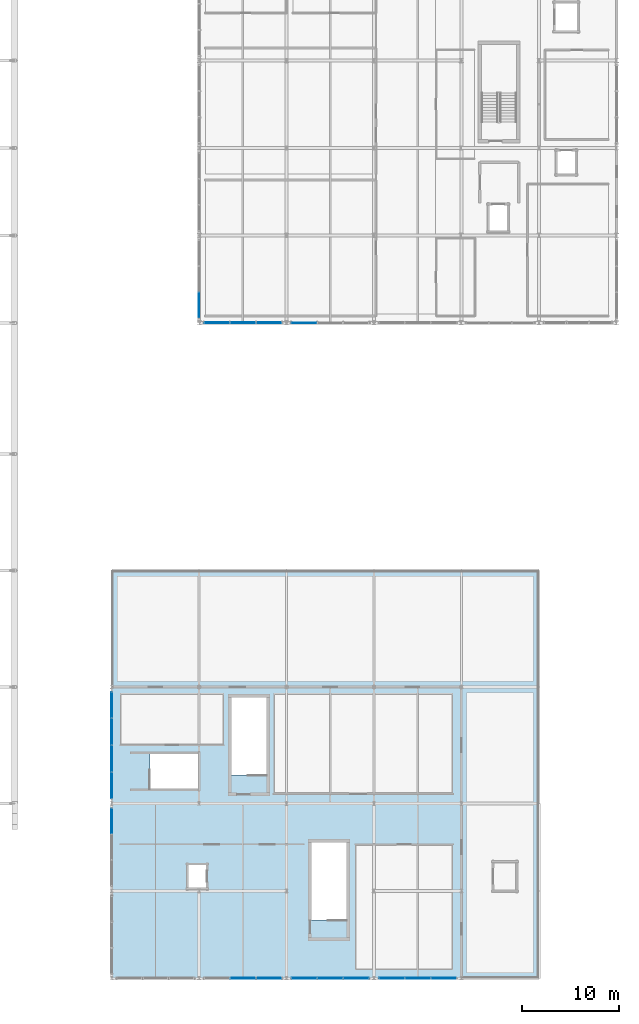
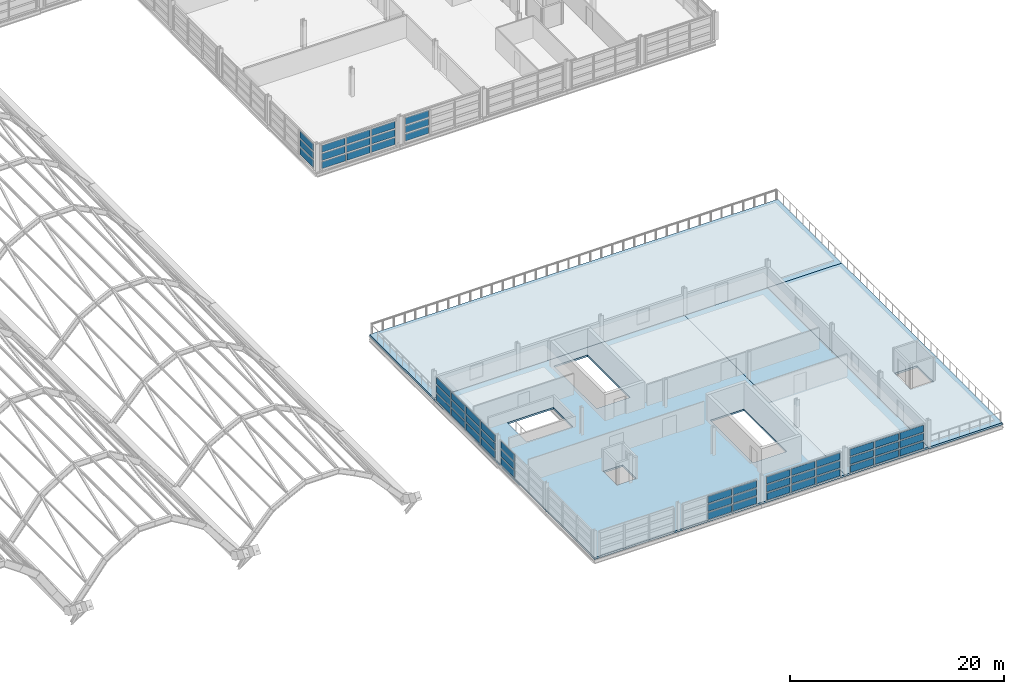
# One storey, part 57 of 86: 54 plates, 4 slabs, 8 elements without a shape of their own.
"""IFC4 building model written with IfcOpenShell, lengths in metres."""

from ifc_helpers import new_model, si_unit, direction, frame, origin, origin_2d, place, context, subcontext, project, spatial, polyline, rectangle, outline, extrude, material, layer, layer_set, type_object, element, aggregate, save


model = new_model("IFC4")

# Units and contexts
model_context = context("Model", 3, precision=1e-05, world=origin(), true_north=direction((0.0, 1.0)))
body_context = subcontext(model_context, "Body", "Model", "MODEL_VIEW")
ifc_project = project(units=[si_unit("LENGTHUNIT", "METRE"), si_unit("AREAUNIT", "SQUARE_METRE"), si_unit("VOLUMEUNIT", "CUBIC_METRE"), si_unit("PLANEANGLEUNIT", "RADIAN"), si_unit("MASSUNIT", "GRAM", prefix="KILO")], contexts=[model_context])

# Site, building, storey
site_placement = place(None, origin())
site = spatial("IfcSite", under=ifc_project, at=site_placement, CompositionType="ELEMENT")
building_placement = place(site_placement, origin())
building = spatial("IfcBuilding", under=site, at=building_placement, Name="Chuanluo Vaults Station", CompositionType="ELEMENT")
storey_placement = place(building_placement, frame((0.0, 0.0, 14.39990234375)))
storey = spatial("IfcBuildingStorey", under=building, at=storey_placement, Name="L03", CompositionType="ELEMENT", Elevation=14.39990234375)

# Curtain wall, plate
ifc_material_1 = material(Name="Anodised aluminium 6063-T6", Category="aluminium")
curtain_wall_type_1 = type_object("IfcCurtainWallType", Name="CW-SYS-03", PredefinedType="NOTDEFINED", material=ifc_material_1)
curtain_wall_1_placement = place(storey_placement, origin())
curtain_wall_1 = element("IfcCurtainWall", 1, at=curtain_wall_1_placement, inside=storey, type_object=curtain_wall_type_1, Name="Retail pavilion L03 facade CW", PredefinedType="NOTDEFINED")
ifc_material_2 = material(Name="Ceramic-fritted spandrel glass", Category="glass")
ifc_layer_1 = layer(ifc_material_2, 0.06396484375)
ifc_layer_set_1 = layer_set([ifc_layer_1], Name="Ceramic-fritted spandrel glass")
plate_type_1 = type_object("IfcPlateType", Name="CWP-SPN-42", PredefinedType="SHEET", material=ifc_layer_set_1)
plate_1_placement = place(storey_placement, frame((136.0, 16.183349609375, 0.080078125), z_axis=(0.0, 0.0, 1.0), x_axis=(0.0, 1.0, 0.0)))
plate_1 = element("IfcPlate", 2, at=plate_1_placement, type_object=plate_type_1, Name="Retail pavilion L03 facade CW glazed panel 3.1", PredefinedType="SHEET", context=body_context, shape_type="SweptSolid", body=[
    extrude(rectangle(XDim=2.523193359375, YDim=0.06396484375, at=origin_2d()), origin(), (0.0, 0.0, 1.0), 0.773193359375),
])

# Curtain wall, plates
ifc_material_3 = material(Name="Anodised aluminium 6063-T6", Category="aluminium")
curtain_wall_type_2 = type_object("IfcCurtainWallType", Name="CW-SYS-07", PredefinedType="NOTDEFINED", material=ifc_material_3)
curtain_wall_2_placement = place(storey_placement, origin())
curtain_wall_2 = element("IfcCurtainWall", 3, at=curtain_wall_2_placement, inside=storey, type_object=curtain_wall_type_2, Name="Retail pavilion L03 facade CW", PredefinedType="NOTDEFINED")
plate_2_placement = place(storey_placement, frame((161.183349609375, 0.0, 0.080078125), z_axis=(0.0, 0.0, 1.0), x_axis=(-1.0, 0.0, 0.0)))
plate_2 = element("IfcPlate", 4, at=plate_2_placement, type_object=plate_type_1, Name="Retail pavilion L03 facade CW glazed panel 1.1", PredefinedType="SHEET", context=body_context, shape_type="SweptSolid", body=[
    extrude(rectangle(XDim=2.523193359375, YDim=0.06396484375, at=origin_2d()), origin(), (0.0, 0.0, 1.0), 0.773193359375),
])
plate_3_placement = place(storey_placement, frame((158.5, 0.0, 0.080078125), z_axis=(0.0, 0.0, 1.0), x_axis=(-1.0, 0.0, 0.0)))
plate_3 = element("IfcPlate", 5, at=plate_3_placement, type_object=plate_type_1, Name="Retail pavilion L03 facade CW glazed panel 2.1", PredefinedType="SHEET", context=body_context, shape_type="SweptSolid", body=[
    extrude(rectangle(XDim=2.523193359375, YDim=0.06396484375, at=origin_2d()), origin(), (0.0, 0.0, 1.0), 0.773193359375),
])
plate_4_placement = place(storey_placement, frame((155.816650390625, 0.0, 0.080078125), z_axis=(0.0, 0.0, 1.0), x_axis=(-1.0, 0.0, 0.0)))
plate_4 = element("IfcPlate", 6, at=plate_4_placement, type_object=plate_type_1, Name="Retail pavilion L03 facade CW glazed panel 3.1", PredefinedType="SHEET", context=body_context, shape_type="SweptSolid", body=[
    extrude(rectangle(XDim=2.523193359375, YDim=0.06396484375, at=origin_2d()), origin(), (0.0, 0.0, 1.0), 0.773193359375),
])

# Curtain wall, plate
ifc_material_4 = material(Name="Anodised aluminium 6063-T6", Category="aluminium")
curtain_wall_type_3 = type_object("IfcCurtainWallType", Name="CW-SYS-21", PredefinedType="NOTDEFINED", material=ifc_material_4)
curtain_wall_3_placement = place(storey_placement, origin())
curtain_wall_3 = element("IfcCurtainWall", 7, at=curtain_wall_3_placement, inside=storey, type_object=curtain_wall_type_3, Name="Operations L03 facade CW", PredefinedType="NOTDEFINED")
plate_5_placement = place(storey_placement, frame((155.816650390625, 67.5, 0.080078125), z_axis=(0.0, 0.0, 1.0), x_axis=(-1.0, 0.0, 0.0)))
plate_5 = element("IfcPlate", 8, at=plate_5_placement, type_object=plate_type_1, Name="Operations L03 facade CW glazed panel 3.1", PredefinedType="SHEET", context=body_context, shape_type="SweptSolid", body=[
    extrude(rectangle(XDim=2.523193359375, YDim=0.06396484375, at=origin_2d()), origin(), (0.0, 0.0, 1.0), 0.773193359375),
])

ifc_material_5 = material(Name="Anodised aluminium 6063-T6", Category="aluminium")
curtain_wall_type_4 = type_object("IfcCurtainWallType", Name="CW-SYS-23", PredefinedType="NOTDEFINED", material=ifc_material_5)
curtain_wall_4_placement = place(storey_placement, origin())
curtain_wall_4 = element("IfcCurtainWall", 9, at=curtain_wall_4_placement, inside=storey, type_object=curtain_wall_type_4, Name="Operations L03 facade CW", PredefinedType="NOTDEFINED")
plate_6_placement = place(storey_placement, frame((145.0, 69.316650390625, 0.080078125), z_axis=(0.0, 0.0, 1.0), x_axis=(0.0, 1.0, 0.0)))
plate_6 = element("IfcPlate", 10, at=plate_6_placement, type_object=plate_type_1, Name="Operations L03 facade CW glazed panel 1.1", PredefinedType="SHEET", context=body_context, shape_type="SweptSolid", body=[
    extrude(rectangle(XDim=2.523193359375, YDim=0.06396484375, at=origin_2d()), origin(), (0.0, 0.0, 1.0), 0.773193359375),
])

# Curtain wall, plates
ifc_material_6 = material(Name="Anodised aluminium 6063-T6", Category="aluminium")
curtain_wall_type_5 = type_object("IfcCurtainWallType", Name="CW-SYS-04", PredefinedType="NOTDEFINED", material=ifc_material_6)
curtain_wall_5_placement = place(storey_placement, origin())
curtain_wall_5 = element("IfcCurtainWall", 11, at=curtain_wall_5_placement, inside=storey, type_object=curtain_wall_type_5, Name="Retail pavilion L03 facade CW", PredefinedType="NOTDEFINED")
ifc_material_7 = material(Name="Ceramic-fritted spandrel glass", Category="glass")
ifc_layer_2 = layer(ifc_material_7, 0.070068359375)
ifc_layer_set_2 = layer_set([ifc_layer_2], Name="Ceramic-fritted spandrel glass")
plate_type_2 = type_object("IfcPlateType", Name="CWP-SPN-50", PredefinedType="SHEET", material=ifc_layer_set_2)
plate_7_placement = place(storey_placement, frame((136.0, 19.856201171875, 0.080078125), z_axis=(0.0, 0.0, 1.0), x_axis=(0.0, 1.0, 0.0)))
plate_7 = element("IfcPlate", 12, at=plate_7_placement, type_object=plate_type_2, Name="Retail pavilion L03 facade CW glazed panel 1.1", PredefinedType="SHEET", context=body_context, shape_type="SweptSolid", body=[
    extrude(rectangle(XDim=2.6025390625, YDim=0.070068359375, at=origin_2d()), origin(), (0.0, 0.0, 1.0), 0.773193359375),
])
plate_8_placement = place(storey_placement, frame((136.0, 22.61865234375, 0.080078125), z_axis=(0.0, 0.0, 1.0), x_axis=(0.0, 1.0, 0.0)))
plate_8 = element("IfcPlate", 13, at=plate_8_placement, type_object=plate_type_2, Name="Retail pavilion L03 facade CW glazed panel 2.1", PredefinedType="SHEET", context=body_context, shape_type="SweptSolid", body=[
    extrude(rectangle(XDim=2.6025390625, YDim=0.070068359375, at=origin_2d()), origin(), (0.0, 0.0, 1.0), 0.773193359375),
])
plate_9_placement = place(storey_placement, frame((136.0, 25.38134765625, 0.080078125), z_axis=(0.0, 0.0, 1.0), x_axis=(0.0, 1.0, 0.0)))
plate_9 = element("IfcPlate", 14, at=plate_9_placement, type_object=plate_type_2, Name="Retail pavilion L03 facade CW glazed panel 3.1", PredefinedType="SHEET", context=body_context, shape_type="SweptSolid", body=[
    extrude(rectangle(XDim=2.6025390625, YDim=0.070068359375, at=origin_2d()), origin(), (0.0, 0.0, 1.0), 0.773193359375),
])
plate_10_placement = place(storey_placement, frame((136.0, 28.143798828125, 0.080078125), z_axis=(0.0, 0.0, 1.0), x_axis=(0.0, 1.0, 0.0)))
plate_10 = element("IfcPlate", 15, at=plate_10_placement, type_object=plate_type_2, Name="Retail pavilion L03 facade CW glazed panel 4.1", PredefinedType="SHEET", context=body_context, shape_type="SweptSolid", body=[
    extrude(rectangle(XDim=2.6025390625, YDim=0.070068359375, at=origin_2d()), origin(), (0.0, 0.0, 1.0), 0.773193359375),
])

ifc_material_8 = material(Name="Anodised aluminium 6063-T6", Category="aluminium")
curtain_wall_type_6 = type_object("IfcCurtainWallType", Name="CW-SYS-06", PredefinedType="NOTDEFINED", material=ifc_material_8)
curtain_wall_6_placement = place(storey_placement, origin())
curtain_wall_6 = element("IfcCurtainWall", 16, at=curtain_wall_6_placement, inside=storey, type_object=curtain_wall_type_6, Name="Retail pavilion L03 facade CW", PredefinedType="NOTDEFINED")
plate_11_placement = place(storey_placement, frame((152.183349609375, 0.0, 0.080078125), z_axis=(0.0, 0.0, 1.0), x_axis=(-1.0, 0.0, 0.0)))
plate_11 = element("IfcPlate", 17, at=plate_11_placement, type_object=plate_type_2, Name="Retail pavilion L03 facade CW glazed panel 1.1", PredefinedType="SHEET", context=body_context, shape_type="SweptSolid", body=[
    extrude(rectangle(XDim=2.523193359375, YDim=0.070068359375, at=origin_2d()), origin(), (0.0, 0.0, 1.0), 0.773193359375),
])
plate_12_placement = place(storey_placement, frame((149.5, 0.0, 0.080078125), z_axis=(0.0, 0.0, 1.0), x_axis=(-1.0, 0.0, 0.0)))
plate_12 = element("IfcPlate", 18, at=plate_12_placement, type_object=plate_type_2, Name="Retail pavilion L03 facade CW glazed panel 2.1", PredefinedType="SHEET", context=body_context, shape_type="SweptSolid", body=[
    extrude(rectangle(XDim=2.523193359375, YDim=0.070068359375, at=origin_2d()), origin(), (0.0, 0.0, 1.0), 0.773193359375),
])

ifc_material_9 = material(Name="Anodised aluminium 6063-T6", Category="aluminium")
curtain_wall_type_7 = type_object("IfcCurtainWallType", Name="CW-SYS-08", PredefinedType="NOTDEFINED", material=ifc_material_9)
curtain_wall_7_placement = place(storey_placement, origin())
curtain_wall_7 = element("IfcCurtainWall", 19, at=curtain_wall_7_placement, inside=storey, type_object=curtain_wall_type_7, Name="Retail pavilion L03 facade CW", PredefinedType="NOTDEFINED")
plate_13_placement = place(storey_placement, frame((170.183349609375, 0.0, 0.080078125), z_axis=(0.0, 0.0, 1.0), x_axis=(-1.0, 0.0, 0.0)))
plate_13 = element("IfcPlate", 20, at=plate_13_placement, type_object=plate_type_2, Name="Retail pavilion L03 facade CW glazed panel 1.1", PredefinedType="SHEET", context=body_context, shape_type="SweptSolid", body=[
    extrude(rectangle(XDim=2.523193359375, YDim=0.070068359375, at=origin_2d()), origin(), (0.0, 0.0, 1.0), 0.773193359375),
])
plate_14_placement = place(storey_placement, frame((167.5, 0.0, 0.080078125), z_axis=(0.0, 0.0, 1.0), x_axis=(-1.0, 0.0, 0.0)))
plate_14 = element("IfcPlate", 21, at=plate_14_placement, type_object=plate_type_2, Name="Retail pavilion L03 facade CW glazed panel 2.1", PredefinedType="SHEET", context=body_context, shape_type="SweptSolid", body=[
    extrude(rectangle(XDim=2.523193359375, YDim=0.070068359375, at=origin_2d()), origin(), (0.0, 0.0, 1.0), 0.773193359375),
])
plate_15_placement = place(storey_placement, frame((164.816650390625, 0.0, 0.080078125), z_axis=(0.0, 0.0, 1.0), x_axis=(-1.0, 0.0, 0.0)))
plate_15 = element("IfcPlate", 22, at=plate_15_placement, type_object=plate_type_2, Name="Retail pavilion L03 facade CW glazed panel 3.1", PredefinedType="SHEET", context=body_context, shape_type="SweptSolid", body=[
    extrude(rectangle(XDim=2.523193359375, YDim=0.070068359375, at=origin_2d()), origin(), (0.0, 0.0, 1.0), 0.773193359375),
])

ifc_material_10 = material(Name="Anodised aluminium 6063-T6", Category="aluminium")
curtain_wall_type_8 = type_object("IfcCurtainWallType", Name="CW-SYS-22", PredefinedType="NOTDEFINED", material=ifc_material_10)
curtain_wall_8_placement = place(storey_placement, origin())
curtain_wall_8 = element("IfcCurtainWall", 23, at=curtain_wall_8_placement, inside=storey, type_object=curtain_wall_type_8, Name="Operations L03 facade CW", PredefinedType="NOTDEFINED")
plate_16_placement = place(storey_placement, frame((152.183349609375, 67.5, 0.080078125), z_axis=(0.0, 0.0, 1.0), x_axis=(-1.0, 0.0, 0.0)))
plate_16 = element("IfcPlate", 24, at=plate_16_placement, type_object=plate_type_2, Name="Operations L03 facade CW glazed panel 1.1", PredefinedType="SHEET", context=body_context, shape_type="SweptSolid", body=[
    extrude(rectangle(XDim=2.523193359375, YDim=0.070068359375, at=origin_2d()), origin(), (0.0, 0.0, 1.0), 0.773193359375),
])
plate_17_placement = place(storey_placement, frame((149.5, 67.5, 0.080078125), z_axis=(0.0, 0.0, 1.0), x_axis=(-1.0, 0.0, 0.0)))
plate_17 = element("IfcPlate", 25, at=plate_17_placement, type_object=plate_type_2, Name="Operations L03 facade CW glazed panel 2.1", PredefinedType="SHEET", context=body_context, shape_type="SweptSolid", body=[
    extrude(rectangle(XDim=2.523193359375, YDim=0.070068359375, at=origin_2d()), origin(), (0.0, 0.0, 1.0), 0.773193359375),
])
plate_18_placement = place(storey_placement, frame((146.816650390625, 67.5, 0.080078125), z_axis=(0.0, 0.0, 1.0), x_axis=(-1.0, 0.0, 0.0)))
plate_18 = element("IfcPlate", 26, at=plate_18_placement, type_object=plate_type_2, Name="Operations L03 facade CW glazed panel 3.1", PredefinedType="SHEET", context=body_context, shape_type="SweptSolid", body=[
    extrude(rectangle(XDim=2.523193359375, YDim=0.070068359375, at=origin_2d()), origin(), (0.0, 0.0, 1.0), 0.773193359375),
])

# Plate
ifc_material_11 = material(Name="Double-silver Low-E laminated glass", Category="glass")
ifc_layer_3 = layer(ifc_material_11, 0.0439453125)
ifc_layer_set_3 = layer_set([ifc_layer_3], Name="Double-silver Low-E laminated glass")
plate_type_3 = type_object("IfcPlateType", Name="CWP-VIS-28", PredefinedType="CURTAIN_PANEL", material=ifc_layer_set_3)
plate_19_placement = place(storey_placement, frame((136.0, 19.856201171875, 1.013427734375), z_axis=(0.0, 0.0, 1.0), x_axis=(0.0, 1.0, 0.0)))
plate_19 = element("IfcPlate", 27, at=plate_19_placement, type_object=plate_type_3, Name="Retail pavilion L03 facade CW glazed panel 1.2", PredefinedType="CURTAIN_PANEL", context=body_context, shape_type="SweptSolid", body=[
    extrude(rectangle(XDim=2.6025390625, YDim=0.0439453125, at=origin_2d()), origin(), (0.0, 0.0, 1.0), 0.7734375),
])

plate_20_placement = place(storey_placement, frame((136.0, 19.856201171875, 1.94677734375), z_axis=(0.0, 0.0, 1.0), x_axis=(0.0, 1.0, 0.0)))
plate_20 = element("IfcPlate", 28, at=plate_20_placement, type_object=plate_type_3, Name="Retail pavilion L03 facade CW glazed panel 1.3", PredefinedType="CURTAIN_PANEL", context=body_context, shape_type="SweptSolid", body=[
    extrude(rectangle(XDim=2.6025390625, YDim=0.0439453125, at=origin_2d()), origin(), (0.0, 0.0, 1.0), 0.773193359375),
])

plate_21_placement = place(storey_placement, frame((136.0, 22.61865234375, 1.013427734375), z_axis=(0.0, 0.0, 1.0), x_axis=(0.0, 1.0, 0.0)))
plate_21 = element("IfcPlate", 29, at=plate_21_placement, type_object=plate_type_3, Name="Retail pavilion L03 facade CW glazed panel 2.2", PredefinedType="CURTAIN_PANEL", context=body_context, shape_type="SweptSolid", body=[
    extrude(rectangle(XDim=2.6025390625, YDim=0.0439453125, at=origin_2d()), origin(), (0.0, 0.0, 1.0), 0.7734375),
])

plate_22_placement = place(storey_placement, frame((136.0, 22.61865234375, 1.94677734375), z_axis=(0.0, 0.0, 1.0), x_axis=(0.0, 1.0, 0.0)))
plate_22 = element("IfcPlate", 30, at=plate_22_placement, type_object=plate_type_3, Name="Retail pavilion L03 facade CW glazed panel 2.3", PredefinedType="CURTAIN_PANEL", context=body_context, shape_type="SweptSolid", body=[
    extrude(rectangle(XDim=2.6025390625, YDim=0.0439453125, at=origin_2d()), origin(), (0.0, 0.0, 1.0), 0.773193359375),
])

plate_23_placement = place(storey_placement, frame((136.0, 25.38134765625, 1.013427734375), z_axis=(0.0, 0.0, 1.0), x_axis=(0.0, 1.0, 0.0)))
plate_23 = element("IfcPlate", 31, at=plate_23_placement, type_object=plate_type_3, Name="Retail pavilion L03 facade CW glazed panel 3.2", PredefinedType="CURTAIN_PANEL", context=body_context, shape_type="SweptSolid", body=[
    extrude(rectangle(XDim=2.6025390625, YDim=0.0439453125, at=origin_2d()), origin(), (0.0, 0.0, 1.0), 0.7734375),
])

plate_24_placement = place(storey_placement, frame((136.0, 25.38134765625, 1.94677734375), z_axis=(0.0, 0.0, 1.0), x_axis=(0.0, 1.0, 0.0)))
plate_24 = element("IfcPlate", 32, at=plate_24_placement, type_object=plate_type_3, Name="Retail pavilion L03 facade CW glazed panel 3.3", PredefinedType="CURTAIN_PANEL", context=body_context, shape_type="SweptSolid", body=[
    extrude(rectangle(XDim=2.6025390625, YDim=0.0439453125, at=origin_2d()), origin(), (0.0, 0.0, 1.0), 0.773193359375),
])

plate_25_placement = place(storey_placement, frame((136.0, 28.143798828125, 1.013427734375), z_axis=(0.0, 0.0, 1.0), x_axis=(0.0, 1.0, 0.0)))
plate_25 = element("IfcPlate", 33, at=plate_25_placement, type_object=plate_type_3, Name="Retail pavilion L03 facade CW glazed panel 4.2", PredefinedType="CURTAIN_PANEL", context=body_context, shape_type="SweptSolid", body=[
    extrude(rectangle(XDim=2.6025390625, YDim=0.0439453125, at=origin_2d()), origin(), (0.0, 0.0, 1.0), 0.7734375),
])

plate_26_placement = place(storey_placement, frame((136.0, 28.143798828125, 1.94677734375), z_axis=(0.0, 0.0, 1.0), x_axis=(0.0, 1.0, 0.0)))
plate_26 = element("IfcPlate", 34, at=plate_26_placement, type_object=plate_type_3, Name="Retail pavilion L03 facade CW glazed panel 4.3", PredefinedType="CURTAIN_PANEL", context=body_context, shape_type="SweptSolid", body=[
    extrude(rectangle(XDim=2.6025390625, YDim=0.0439453125, at=origin_2d()), origin(), (0.0, 0.0, 1.0), 0.773193359375),
])

aggregate(curtain_wall_5, [plate_7, plate_19, plate_20, plate_8, plate_21, plate_22, plate_9, plate_23, plate_24, plate_10, plate_25, plate_26])

plate_27_placement = place(storey_placement, frame((170.183349609375, 0.0, 1.013427734375), z_axis=(0.0, 0.0, 1.0), x_axis=(-1.0, 0.0, 0.0)))
plate_27 = element("IfcPlate", 35, at=plate_27_placement, type_object=plate_type_3, Name="Retail pavilion L03 facade CW glazed panel 1.2", PredefinedType="CURTAIN_PANEL", context=body_context, shape_type="SweptSolid", body=[
    extrude(rectangle(XDim=2.523193359375, YDim=0.0439453125, at=origin_2d()), origin(), (0.0, 0.0, 1.0), 0.7734375),
])

plate_28_placement = place(storey_placement, frame((170.183349609375, 0.0, 1.94677734375), z_axis=(0.0, 0.0, 1.0), x_axis=(-1.0, 0.0, 0.0)))
plate_28 = element("IfcPlate", 36, at=plate_28_placement, type_object=plate_type_3, Name="Retail pavilion L03 facade CW glazed panel 1.3", PredefinedType="CURTAIN_PANEL", context=body_context, shape_type="SweptSolid", body=[
    extrude(rectangle(XDim=2.523193359375, YDim=0.0439453125, at=origin_2d()), origin(), (0.0, 0.0, 1.0), 0.773193359375),
])

plate_29_placement = place(storey_placement, frame((167.5, 0.0, 1.013427734375), z_axis=(0.0, 0.0, 1.0), x_axis=(-1.0, 0.0, 0.0)))
plate_29 = element("IfcPlate", 37, at=plate_29_placement, type_object=plate_type_3, Name="Retail pavilion L03 facade CW glazed panel 2.2", PredefinedType="CURTAIN_PANEL", context=body_context, shape_type="SweptSolid", body=[
    extrude(rectangle(XDim=2.523193359375, YDim=0.0439453125, at=origin_2d()), origin(), (0.0, 0.0, 1.0), 0.7734375),
])

plate_30_placement = place(storey_placement, frame((167.5, 0.0, 1.94677734375), z_axis=(0.0, 0.0, 1.0), x_axis=(-1.0, 0.0, 0.0)))
plate_30 = element("IfcPlate", 38, at=plate_30_placement, type_object=plate_type_3, Name="Retail pavilion L03 facade CW glazed panel 2.3", PredefinedType="CURTAIN_PANEL", context=body_context, shape_type="SweptSolid", body=[
    extrude(rectangle(XDim=2.523193359375, YDim=0.0439453125, at=origin_2d()), origin(), (0.0, 0.0, 1.0), 0.773193359375),
])

plate_31_placement = place(storey_placement, frame((164.816650390625, 0.0, 1.013427734375), z_axis=(0.0, 0.0, 1.0), x_axis=(-1.0, 0.0, 0.0)))
plate_31 = element("IfcPlate", 39, at=plate_31_placement, type_object=plate_type_3, Name="Retail pavilion L03 facade CW glazed panel 3.2", PredefinedType="CURTAIN_PANEL", context=body_context, shape_type="SweptSolid", body=[
    extrude(rectangle(XDim=2.523193359375, YDim=0.0439453125, at=origin_2d()), origin(), (0.0, 0.0, 1.0), 0.7734375),
])

plate_32_placement = place(storey_placement, frame((164.816650390625, 0.0, 1.94677734375), z_axis=(0.0, 0.0, 1.0), x_axis=(-1.0, 0.0, 0.0)))
plate_32 = element("IfcPlate", 40, at=plate_32_placement, type_object=plate_type_3, Name="Retail pavilion L03 facade CW glazed panel 3.3", PredefinedType="CURTAIN_PANEL", context=body_context, shape_type="SweptSolid", body=[
    extrude(rectangle(XDim=2.523193359375, YDim=0.0439453125, at=origin_2d()), origin(), (0.0, 0.0, 1.0), 0.773193359375),
])

aggregate(curtain_wall_7, [plate_13, plate_27, plate_28, plate_14, plate_29, plate_30, plate_15, plate_31, plate_32])

ifc_material_12 = material(Name="Double-silver Low-E laminated glass", Category="glass")
ifc_layer_4 = layer(ifc_material_12, 0.048095703125)
ifc_layer_set_4 = layer_set([ifc_layer_4], Name="Double-silver Low-E laminated glass")
plate_type_4 = type_object("IfcPlateType", Name="CWP-VIS-32", PredefinedType="CURTAIN_PANEL", material=ifc_layer_set_4)
plate_33_placement = place(storey_placement, frame((136.0, 16.183349609375, 1.013427734375), z_axis=(0.0, 0.0, 1.0), x_axis=(0.0, 1.0, 0.0)))
plate_33 = element("IfcPlate", 41, at=plate_33_placement, type_object=plate_type_4, Name="Retail pavilion L03 facade CW glazed panel 3.2", PredefinedType="CURTAIN_PANEL", context=body_context, shape_type="SweptSolid", body=[
    extrude(rectangle(XDim=2.523193359375, YDim=0.048095703125, at=origin_2d()), origin(), (0.0, 0.0, 1.0), 0.7734375),
])

plate_34_placement = place(storey_placement, frame((136.0, 16.183349609375, 1.94677734375), z_axis=(0.0, 0.0, 1.0), x_axis=(0.0, 1.0, 0.0)))
plate_34 = element("IfcPlate", 42, at=plate_34_placement, type_object=plate_type_4, Name="Retail pavilion L03 facade CW glazed panel 3.3", PredefinedType="CURTAIN_PANEL", context=body_context, shape_type="SweptSolid", body=[
    extrude(rectangle(XDim=2.523193359375, YDim=0.048095703125, at=origin_2d()), origin(), (0.0, 0.0, 1.0), 0.773193359375),
])

aggregate(curtain_wall_1, [plate_1, plate_33, plate_34])

plate_35_placement = place(storey_placement, frame((161.183349609375, 0.0, 1.013427734375), z_axis=(0.0, 0.0, 1.0), x_axis=(-1.0, 0.0, 0.0)))
plate_35 = element("IfcPlate", 43, at=plate_35_placement, type_object=plate_type_4, Name="Retail pavilion L03 facade CW glazed panel 1.2", PredefinedType="CURTAIN_PANEL", context=body_context, shape_type="SweptSolid", body=[
    extrude(rectangle(XDim=2.523193359375, YDim=0.048095703125, at=origin_2d()), origin(), (0.0, 0.0, 1.0), 0.7734375),
])

plate_36_placement = place(storey_placement, frame((161.183349609375, 0.0, 1.94677734375), z_axis=(0.0, 0.0, 1.0), x_axis=(-1.0, 0.0, 0.0)))
plate_36 = element("IfcPlate", 44, at=plate_36_placement, type_object=plate_type_4, Name="Retail pavilion L03 facade CW glazed panel 1.3", PredefinedType="CURTAIN_PANEL", context=body_context, shape_type="SweptSolid", body=[
    extrude(rectangle(XDim=2.523193359375, YDim=0.048095703125, at=origin_2d()), origin(), (0.0, 0.0, 1.0), 0.773193359375),
])

plate_37_placement = place(storey_placement, frame((158.5, 0.0, 1.013427734375), z_axis=(0.0, 0.0, 1.0), x_axis=(-1.0, 0.0, 0.0)))
plate_37 = element("IfcPlate", 45, at=plate_37_placement, type_object=plate_type_4, Name="Retail pavilion L03 facade CW glazed panel 2.2", PredefinedType="CURTAIN_PANEL", context=body_context, shape_type="SweptSolid", body=[
    extrude(rectangle(XDim=2.523193359375, YDim=0.048095703125, at=origin_2d()), origin(), (0.0, 0.0, 1.0), 0.7734375),
])

plate_38_placement = place(storey_placement, frame((158.5, 0.0, 1.94677734375), z_axis=(0.0, 0.0, 1.0), x_axis=(-1.0, 0.0, 0.0)))
plate_38 = element("IfcPlate", 46, at=plate_38_placement, type_object=plate_type_4, Name="Retail pavilion L03 facade CW glazed panel 2.3", PredefinedType="CURTAIN_PANEL", context=body_context, shape_type="SweptSolid", body=[
    extrude(rectangle(XDim=2.523193359375, YDim=0.048095703125, at=origin_2d()), origin(), (0.0, 0.0, 1.0), 0.773193359375),
])

plate_39_placement = place(storey_placement, frame((155.816650390625, 0.0, 1.013427734375), z_axis=(0.0, 0.0, 1.0), x_axis=(-1.0, 0.0, 0.0)))
plate_39 = element("IfcPlate", 47, at=plate_39_placement, type_object=plate_type_4, Name="Retail pavilion L03 facade CW glazed panel 3.2", PredefinedType="CURTAIN_PANEL", context=body_context, shape_type="SweptSolid", body=[
    extrude(rectangle(XDim=2.523193359375, YDim=0.048095703125, at=origin_2d()), origin(), (0.0, 0.0, 1.0), 0.7734375),
])

plate_40_placement = place(storey_placement, frame((155.816650390625, 0.0, 1.94677734375), z_axis=(0.0, 0.0, 1.0), x_axis=(-1.0, 0.0, 0.0)))
plate_40 = element("IfcPlate", 48, at=plate_40_placement, type_object=plate_type_4, Name="Retail pavilion L03 facade CW glazed panel 3.3", PredefinedType="CURTAIN_PANEL", context=body_context, shape_type="SweptSolid", body=[
    extrude(rectangle(XDim=2.523193359375, YDim=0.048095703125, at=origin_2d()), origin(), (0.0, 0.0, 1.0), 0.773193359375),
])

aggregate(curtain_wall_2, [plate_2, plate_35, plate_36, plate_3, plate_37, plate_38, plate_4, plate_39, plate_40])

plate_41_placement = place(storey_placement, frame((145.0, 69.316650390625, 1.013427734375), z_axis=(0.0, 0.0, 1.0), x_axis=(0.0, 1.0, 0.0)))
plate_41 = element("IfcPlate", 49, at=plate_41_placement, type_object=plate_type_4, Name="Operations L03 facade CW glazed panel 1.2", PredefinedType="CURTAIN_PANEL", context=body_context, shape_type="SweptSolid", body=[
    extrude(rectangle(XDim=2.523193359375, YDim=0.048095703125, at=origin_2d()), origin(), (0.0, 0.0, 1.0), 0.7734375),
])

plate_42_placement = place(storey_placement, frame((145.0, 69.316650390625, 1.94677734375), z_axis=(0.0, 0.0, 1.0), x_axis=(0.0, 1.0, 0.0)))
plate_42 = element("IfcPlate", 50, at=plate_42_placement, type_object=plate_type_4, Name="Operations L03 facade CW glazed panel 1.3", PredefinedType="CURTAIN_PANEL", context=body_context, shape_type="SweptSolid", body=[
    extrude(rectangle(XDim=2.523193359375, YDim=0.048095703125, at=origin_2d()), origin(), (0.0, 0.0, 1.0), 0.773193359375),
])

aggregate(curtain_wall_4, [plate_6, plate_41, plate_42])

ifc_material_13 = material(Name="Double-silver Low-E laminated glass", Category="glass")
ifc_layer_5 = layer(ifc_material_13, 0.053955078125)
ifc_layer_set_5 = layer_set([ifc_layer_5], Name="Double-silver Low-E laminated glass")
plate_type_5 = type_object("IfcPlateType", Name="CWP-VIS-36", PredefinedType="CURTAIN_PANEL", material=ifc_layer_set_5)
plate_43_placement = place(storey_placement, frame((152.183349609375, 0.0, 1.013427734375), z_axis=(0.0, 0.0, 1.0), x_axis=(-1.0, 0.0, 0.0)))
plate_43 = element("IfcPlate", 51, at=plate_43_placement, type_object=plate_type_5, Name="Retail pavilion L03 facade CW glazed panel 1.2", PredefinedType="CURTAIN_PANEL", context=body_context, shape_type="SweptSolid", body=[
    extrude(rectangle(XDim=2.523193359375, YDim=0.053955078125, at=origin_2d()), origin(), (0.0, 0.0, 1.0), 0.7734375),
])

plate_44_placement = place(storey_placement, frame((152.183349609375, 0.0, 1.94677734375), z_axis=(0.0, 0.0, 1.0), x_axis=(-1.0, 0.0, 0.0)))
plate_44 = element("IfcPlate", 52, at=plate_44_placement, type_object=plate_type_5, Name="Retail pavilion L03 facade CW glazed panel 1.3", PredefinedType="CURTAIN_PANEL", context=body_context, shape_type="SweptSolid", body=[
    extrude(rectangle(XDim=2.523193359375, YDim=0.053955078125, at=origin_2d()), origin(), (0.0, 0.0, 1.0), 0.773193359375),
])

plate_45_placement = place(storey_placement, frame((149.5, 0.0, 1.013427734375), z_axis=(0.0, 0.0, 1.0), x_axis=(-1.0, 0.0, 0.0)))
plate_45 = element("IfcPlate", 53, at=plate_45_placement, type_object=plate_type_5, Name="Retail pavilion L03 facade CW glazed panel 2.2", PredefinedType="CURTAIN_PANEL", context=body_context, shape_type="SweptSolid", body=[
    extrude(rectangle(XDim=2.523193359375, YDim=0.053955078125, at=origin_2d()), origin(), (0.0, 0.0, 1.0), 0.7734375),
])

plate_46_placement = place(storey_placement, frame((149.5, 0.0, 1.94677734375), z_axis=(0.0, 0.0, 1.0), x_axis=(-1.0, 0.0, 0.0)))
plate_46 = element("IfcPlate", 54, at=plate_46_placement, type_object=plate_type_5, Name="Retail pavilion L03 facade CW glazed panel 2.3", PredefinedType="CURTAIN_PANEL", context=body_context, shape_type="SweptSolid", body=[
    extrude(rectangle(XDim=2.523193359375, YDim=0.053955078125, at=origin_2d()), origin(), (0.0, 0.0, 1.0), 0.773193359375),
])

aggregate(curtain_wall_6, [plate_11, plate_43, plate_44, plate_12, plate_45, plate_46])

plate_47_placement = place(storey_placement, frame((152.183349609375, 67.5, 1.013427734375), z_axis=(0.0, 0.0, 1.0), x_axis=(-1.0, 0.0, 0.0)))
plate_47 = element("IfcPlate", 55, at=plate_47_placement, type_object=plate_type_5, Name="Operations L03 facade CW glazed panel 1.2", PredefinedType="CURTAIN_PANEL", context=body_context, shape_type="SweptSolid", body=[
    extrude(rectangle(XDim=2.523193359375, YDim=0.053955078125, at=origin_2d()), origin(), (0.0, 0.0, 1.0), 0.7734375),
])

plate_48_placement = place(storey_placement, frame((152.183349609375, 67.5, 1.94677734375), z_axis=(0.0, 0.0, 1.0), x_axis=(-1.0, 0.0, 0.0)))
plate_48 = element("IfcPlate", 56, at=plate_48_placement, type_object=plate_type_5, Name="Operations L03 facade CW glazed panel 1.3", PredefinedType="CURTAIN_PANEL", context=body_context, shape_type="SweptSolid", body=[
    extrude(rectangle(XDim=2.523193359375, YDim=0.053955078125, at=origin_2d()), origin(), (0.0, 0.0, 1.0), 0.773193359375),
])

plate_49_placement = place(storey_placement, frame((149.5, 67.5, 1.013427734375), z_axis=(0.0, 0.0, 1.0), x_axis=(-1.0, 0.0, 0.0)))
plate_49 = element("IfcPlate", 57, at=plate_49_placement, type_object=plate_type_5, Name="Operations L03 facade CW glazed panel 2.2", PredefinedType="CURTAIN_PANEL", context=body_context, shape_type="SweptSolid", body=[
    extrude(rectangle(XDim=2.523193359375, YDim=0.053955078125, at=origin_2d()), origin(), (0.0, 0.0, 1.0), 0.7734375),
])

plate_50_placement = place(storey_placement, frame((149.5, 67.5, 1.94677734375), z_axis=(0.0, 0.0, 1.0), x_axis=(-1.0, 0.0, 0.0)))
plate_50 = element("IfcPlate", 58, at=plate_50_placement, type_object=plate_type_5, Name="Operations L03 facade CW glazed panel 2.3", PredefinedType="CURTAIN_PANEL", context=body_context, shape_type="SweptSolid", body=[
    extrude(rectangle(XDim=2.523193359375, YDim=0.053955078125, at=origin_2d()), origin(), (0.0, 0.0, 1.0), 0.773193359375),
])

plate_51_placement = place(storey_placement, frame((146.816650390625, 67.5, 1.013427734375), z_axis=(0.0, 0.0, 1.0), x_axis=(-1.0, 0.0, 0.0)))
plate_51 = element("IfcPlate", 59, at=plate_51_placement, type_object=plate_type_5, Name="Operations L03 facade CW glazed panel 3.2", PredefinedType="CURTAIN_PANEL", context=body_context, shape_type="SweptSolid", body=[
    extrude(rectangle(XDim=2.523193359375, YDim=0.053955078125, at=origin_2d()), origin(), (0.0, 0.0, 1.0), 0.7734375),
])

plate_52_placement = place(storey_placement, frame((146.816650390625, 67.5, 1.94677734375), z_axis=(0.0, 0.0, 1.0), x_axis=(-1.0, 0.0, 0.0)))
plate_52 = element("IfcPlate", 60, at=plate_52_placement, type_object=plate_type_5, Name="Operations L03 facade CW glazed panel 3.3", PredefinedType="CURTAIN_PANEL", context=body_context, shape_type="SweptSolid", body=[
    extrude(rectangle(XDim=2.523193359375, YDim=0.053955078125, at=origin_2d()), origin(), (0.0, 0.0, 1.0), 0.773193359375),
])

aggregate(curtain_wall_8, [plate_16, plate_47, plate_48, plate_17, plate_49, plate_50, plate_18, plate_51, plate_52])

ifc_material_14 = material(Name="Double-silver Low-E laminated glass", Category="glass")
ifc_layer_6 = layer(ifc_material_14, 0.05810546875)
ifc_layer_set_6 = layer_set([ifc_layer_6], Name="Double-silver Low-E laminated glass")
plate_type_6 = type_object("IfcPlateType", Name="CWP-VIS-38", PredefinedType="CURTAIN_PANEL", material=ifc_layer_set_6)
plate_53_placement = place(storey_placement, frame((155.816650390625, 67.5, 1.013427734375), z_axis=(0.0, 0.0, 1.0), x_axis=(-1.0, 0.0, 0.0)))
plate_53 = element("IfcPlate", 61, at=plate_53_placement, type_object=plate_type_6, Name="Operations L03 facade CW glazed panel 3.2", PredefinedType="CURTAIN_PANEL", context=body_context, shape_type="SweptSolid", body=[
    extrude(rectangle(XDim=2.523193359375, YDim=0.05810546875, at=origin_2d()), origin(), (0.0, 0.0, 1.0), 0.7734375),
])

plate_54_placement = place(storey_placement, frame((155.816650390625, 67.5, 1.94677734375), z_axis=(0.0, 0.0, 1.0), x_axis=(-1.0, 0.0, 0.0)))
plate_54 = element("IfcPlate", 62, at=plate_54_placement, type_object=plate_type_6, Name="Operations L03 facade CW glazed panel 3.3", PredefinedType="CURTAIN_PANEL", context=body_context, shape_type="SweptSolid", body=[
    extrude(rectangle(XDim=2.523193359375, YDim=0.05810546875, at=origin_2d()), origin(), (0.0, 0.0, 1.0), 0.773193359375),
])

aggregate(curtain_wall_3, [plate_5, plate_53, plate_54])

# Slabs
ifc_material_15 = material(Name="Concrete C40", Category="concrete")
ifc_layer_7 = layer(ifc_material_15, 0.199951171875)
ifc_layer_set_7 = layer_set([ifc_layer_7], Name="Concrete C40")
slab_type_1 = type_object("IfcSlabType", Name="SLB-OPS-200", PredefinedType="FLOOR", material=ifc_layer_set_7)
slab_1_placement = place(storey_placement, frame((0.0, 0.0, -0.199951171875)))
element("IfcSlab", 63, at=slab_1_placement, inside=storey, type_object=slab_type_1, Name="L03 RET slab 01", PredefinedType="FLOOR", context=body_context, shape_type="SweptSolid", body=[
    extrude(outline(polyline([(136.0, 0.0), (163.0, 0.0), (163.0, 30.0), (136.0, 30.0), (136.0, 0.0)]), holes=[polyline([(151.9375, 20.94140625), (151.9375, 28.922607421875), (148.3173828125, 28.922607421875), (148.3173828125, 20.94140625), (151.9375, 20.94140625)]), polyline([(160.1875, 6.00390625), (160.1875, 13.985107421875), (156.5673828125, 13.985107421875), (156.5673828125, 6.00390625), (160.1875, 6.00390625)]), polyline([(139.94140625, 19.5), (144.922607421875, 19.5), (144.922607421875, 23.1201171875), (139.94140625, 23.1201171875), (139.94140625, 19.5)]), polyline([(143.780029296875, 9.22998046875), (145.820068359375, 9.22998046875), (145.820068359375, 11.77001953125), (143.780029296875, 11.77001953125), (143.780029296875, 9.22998046875)])]), origin(), (0.0, 0.0, 1.0), 0.199951171875),
])
slab_2_placement = place(storey_placement, frame((0.0, 0.0, -0.199951171875)))
element("IfcSlab", 64, at=slab_2_placement, inside=storey, type_object=slab_type_1, Name="L03 RET slab 02", PredefinedType="FLOOR", context=body_context, shape_type="SweptSolid", body=[
    extrude(outline(polyline([(163.0, 0.0), (172.0, 0.0), (172.0, 30.0), (163.0, 30.0), (163.0, 0.0)])), origin(), (0.0, 0.0, 1.0), 0.199951171875),
])
ifc_material_16 = material(Name="Concrete C40", Category="concrete")
ifc_layer_8 = layer(ifc_material_16, 0.22998046875)
ifc_layer_set_8 = layer_set([ifc_layer_8], Name="Concrete C40")
slab_type_2 = type_object("IfcSlabType", Name="SLB-TER-230", PredefinedType="FLOOR", material=ifc_layer_set_8)
slab_3_placement = place(storey_placement, frame((0.0, 0.0, -0.22998046875)))
element("IfcSlab", 65, at=slab_3_placement, inside=storey, type_object=slab_type_2, Name="L03 floor slab TER-N", PredefinedType="FLOOR", context=body_context, shape_type="SweptSolid", body=[
    extrude(outline(polyline([(136.0, 30.0), (180.0, 30.0), (180.0, 42.0), (136.0, 42.0), (136.0, 30.0)])), origin(), (0.0, 0.0, 1.0), 0.22998046875),
])
slab_4_placement = place(storey_placement, frame((0.0, 0.0, -0.22998046875)))
element("IfcSlab", 66, at=slab_4_placement, inside=storey, type_object=slab_type_2, Name="L03 floor slab TER-E", PredefinedType="FLOOR", context=body_context, shape_type="SweptSolid", body=[
    extrude(outline(polyline([(172.0, 0.0), (180.0, 0.0), (180.0, 30.0), (172.0, 30.0), (172.0, 0.0)]), holes=[polyline([(175.280029296875, 8.97998046875), (177.719970703125, 8.97998046875), (177.719970703125, 12.02001953125), (175.280029296875, 12.02001953125), (175.280029296875, 8.97998046875)])]), origin(), (0.0, 0.0, 1.0), 0.22998046875),
])

save(model, "model.ifc")
